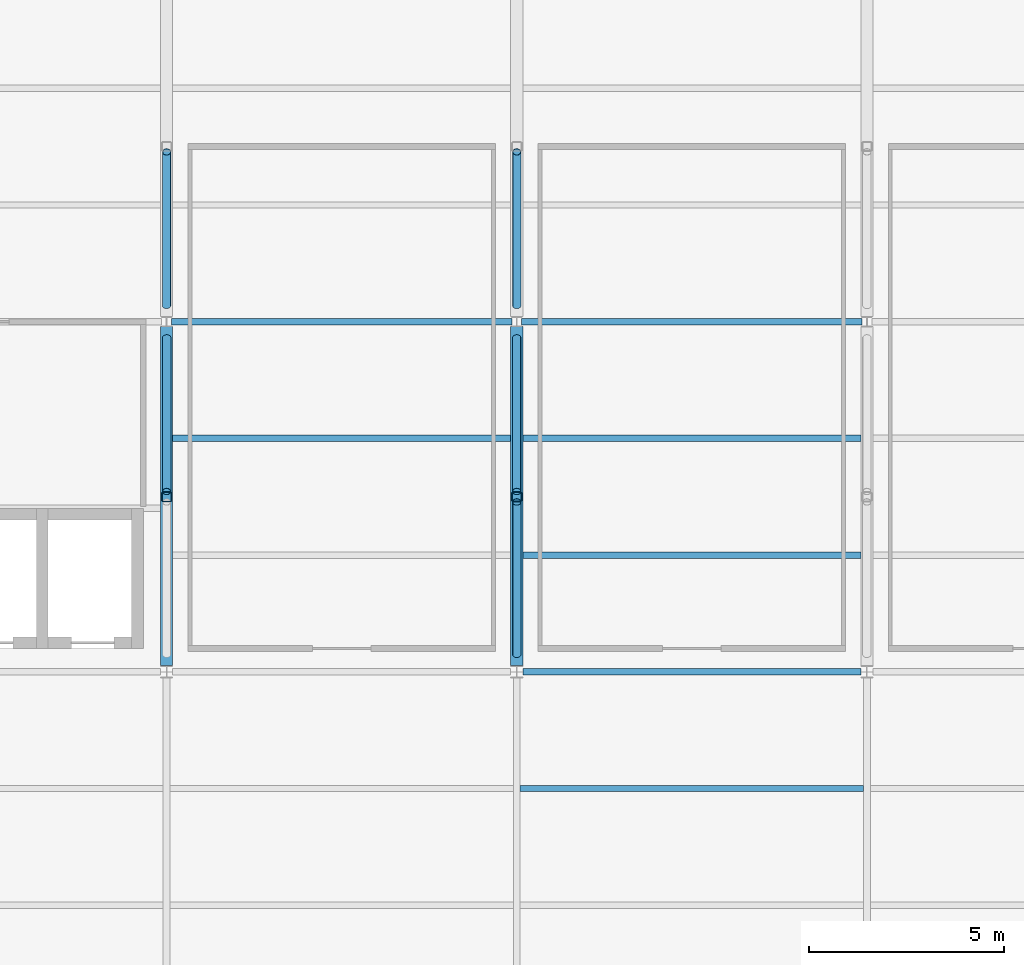
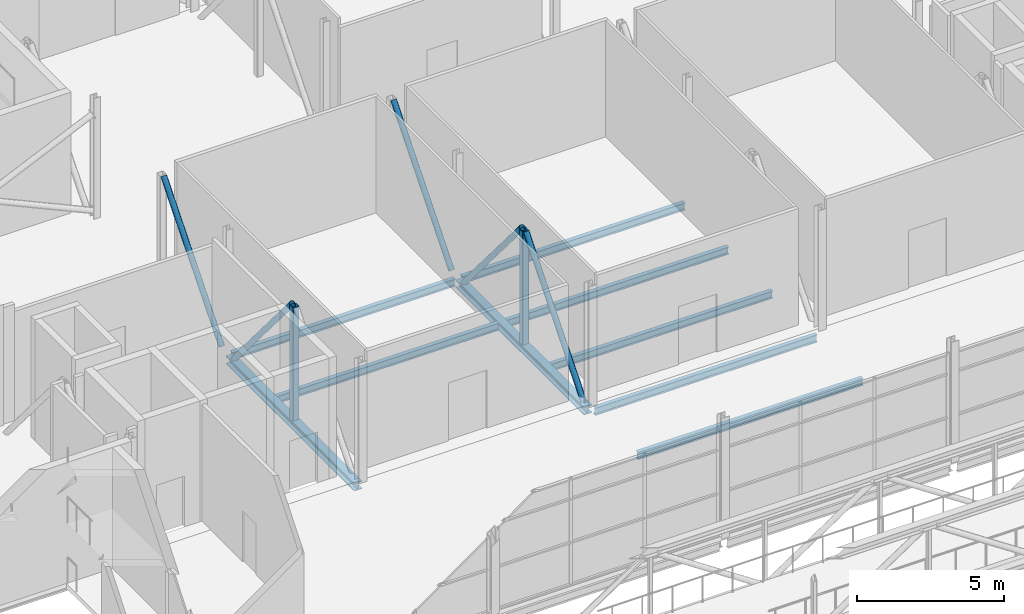
# One storey, part 56 of 94: 9 beams, 7 members.
"""IFC4 building model written with IfcOpenShell, lengths in metres."""

from ifc_helpers import new_model, si_unit, direction, frame, origin, origin_2d, place, context, subcontext, project, spatial, hollow_rectangle, hollow_circle, i_section, extrude, material, material_profile, profile_set, type_object, element, save


model = new_model("IFC4")

# Units and contexts
model_context = context("Model", 3, precision=1e-05, world=origin(), true_north=direction((0.0, 1.0)))
body_context = subcontext(model_context, "Body", "Model", "MODEL_VIEW")
ifc_project = project(units=[si_unit("LENGTHUNIT", "METRE"), si_unit("AREAUNIT", "SQUARE_METRE"), si_unit("VOLUMEUNIT", "CUBIC_METRE"), si_unit("PLANEANGLEUNIT", "RADIAN"), si_unit("MASSUNIT", "GRAM", prefix="KILO")], contexts=[model_context])

# Site, building, storey
site_placement = place(None, origin())
site = spatial("IfcSite", under=ifc_project, at=site_placement, CompositionType="ELEMENT")
building_placement = place(site_placement, origin())
building = spatial("IfcBuilding", under=site, at=building_placement, Name="Shorebreak Coast Museum", CompositionType="ELEMENT")
storey_placement = place(building_placement, frame((0.0, 0.0, 31.0)))
storey = spatial("IfcBuildingStorey", under=building, at=storey_placement, Name="L05", CompositionType="ELEMENT", Elevation=31.0)

# Beams
ifc_material_1 = material(Name="Steel Grade 300", Category="steel")
ifc_material_profile_1 = material_profile(ifc_material_1, i_section(OverallWidth=0.166015625, OverallDepth=0.30712890625, WebThickness=0.006591796875, FlangeThickness=0.01171875, FilletRadius=0.011474609375, at=origin_2d()), Name="310UB46.2")
ifc_profile_set_1 = profile_set([ifc_material_profile_1], Name="Steel Grade 300")
beam_type_1 = type_object("IfcBeamType", Name="Floor girder east-west 310UB46.2", PredefinedType="BEAM", material=ifc_profile_set_1)
beam_1_placement = place(storey_placement, frame((81.155517578125, 90.0, -0.32861328125), z_axis=(1.0, 0.0, 0.0), x_axis=(0.0, 1.0, 0.0)))
element("IfcBeam", 1, at=beam_1_placement, inside=storey, type_object=beam_type_1, Name="Floor girder east-west L05 10L", PredefinedType="BEAM", context=body_context, shape_type="SweptSolid", body=[
    extrude(i_section(OverallWidth=0.166015625, OverallDepth=0.30712890625, WebThickness=0.006591796875, FlangeThickness=0.01171875, FilletRadius=0.011474609375, at=origin_2d()), origin(), (0.0, 0.0, 1.0), 8.68896484375),
])
for number, where, z_axis, x_axis, name in (
    (2, (72.1279296875, 99.0, -0.32861328125), (1.0, 0.0, 0.0), (0.0, 1.0, 0.0), "Floor girder east-west L05 9M"),
    (3, (81.1279296875, 99.0, -0.32861328125), (1.0, 0.0, 0.0), (0.0, 1.0, 0.0), "Floor girder east-west L05 10M"),
):
    element("IfcBeam", number, at=place(storey_placement, frame(where, z_axis=z_axis, x_axis=x_axis)), inside=storey, type_object=beam_type_1, Name=name, PredefinedType="BEAM", context=body_context, shape_type="SweptSolid", body=[
        extrude(i_section(OverallWidth=0.166015625, OverallDepth=0.30712890625, WebThickness=0.006591796875, FlangeThickness=0.01171875, FilletRadius=0.011474609375, at=origin_2d()), origin(), (0.0, 0.0, 1.0), 8.744140625),
    ])
ifc_material_2 = material(Name="Steel Grade 300", Category="steel")
ifc_material_profile_2 = material_profile(ifc_material_2, i_section(OverallWidth=0.1650390625, OverallDepth=0.303955078125, WebThickness=0.006103515625, FlangeThickness=0.01025390625, FilletRadius=0.011474609375, at=origin_2d()), Name="310UB40.4")
ifc_profile_set_2 = profile_set([ifc_material_profile_2], Name="Steel Grade 300")
beam_type_2 = type_object("IfcBeamType", Name="Floor joist 310UB40.4", PredefinedType="JOIST", material=ifc_profile_set_2)
beam_2_placement = place(storey_placement, frame((81.089111328125, 87.0, -0.326904296875), z_axis=(1.0, 0.0, 0.0), x_axis=(0.0, 1.0, 0.0)))
element("IfcBeam", 4, at=beam_2_placement, inside=storey, type_object=beam_type_2, Name="Floor joist L05 bay 10K at 6000 mm", PredefinedType="JOIST", context=body_context, shape_type="SweptSolid", body=[
    extrude(i_section(OverallWidth=0.1650390625, OverallDepth=0.303955078125, WebThickness=0.006103515625, FlangeThickness=0.01025390625, FilletRadius=0.011474609375, at=origin_2d()), origin(), (0.0, 0.0, 1.0), 8.82177734375),
])
for number, where, z_axis, x_axis, name in (
    (5, (72.155517578125, 96.0, -0.326904296875), (1.0, 0.0, 0.0), (0.0, 1.0, 0.0), "Floor joist L05 bay 9L at 6000 mm"),
    (6, (81.155517578125, 93.0, -0.326904296875), (1.0, 0.0, 0.0), (0.0, 1.0, 0.0), "Floor joist L05 bay 10L at 3000 mm"),
    (7, (81.155517578125, 96.0, -0.326904296875), (1.0, 0.0, 0.0), (0.0, 1.0, 0.0), "Floor joist L05 bay 10L at 6000 mm"),
):
    element("IfcBeam", number, at=place(storey_placement, frame(where, z_axis=z_axis, x_axis=x_axis)), inside=storey, type_object=beam_type_2, Name=name, PredefinedType="JOIST", context=body_context, shape_type="SweptSolid", body=[
        extrude(i_section(OverallWidth=0.1650390625, OverallDepth=0.303955078125, WebThickness=0.006103515625, FlangeThickness=0.01025390625, FilletRadius=0.011474609375, at=origin_2d()), origin(), (0.0, 0.0, 1.0), 8.68896484375),
    ])
ifc_material_3 = material(Name="Steel Grade 300", Category="steel")
ifc_material_profile_3 = material_profile(ifc_material_3, i_section(OverallWidth=0.31103515625, OverallDepth=0.3271484375, WebThickness=0.015625, FlangeThickness=0.02490234375, FilletRadius=0.0166015625, at=origin_2d()), Name="310UC158")
ifc_profile_set_3 = profile_set([ifc_material_profile_3], Name="Steel Grade 300")
beam_type_3 = type_object("IfcBeamType", Name="Transfer truss chord 310UC158", PredefinedType="BEAM", material=ifc_profile_set_3)
for number, where, z_axis, x_axis, name in (
    (8, (72.0, 90.16357421875, -0.338623046875), (0.0, 1.0, 0.0), (-1.0, 0.0, 0.0), "Transfer truss TR3 chord C01"),
    (9, (81.0, 90.16357421875, -0.338623046875), (0.0, 1.0, 0.0), (-1.0, 0.0, 0.0), "Transfer truss TR4 chord C01"),
):
    element("IfcBeam", number, at=place(storey_placement, frame(where, z_axis=z_axis, x_axis=x_axis)), inside=storey, type_object=beam_type_3, Name=name, PredefinedType="BEAM", context=body_context, shape_type="SweptSolid", body=[
        extrude(i_section(OverallWidth=0.31103515625, OverallDepth=0.3271484375, WebThickness=0.015625, FlangeThickness=0.02490234375, FilletRadius=0.0166015625, at=origin_2d()), origin(), (0.0, 0.0, 1.0), 8.70654296875),
    ])

# Members
ifc_material_4 = material(Name="Steel Grade C350L0", Category="steel")
ifc_material_profile_4 = material_profile(ifc_material_4, hollow_circle(Radius=0.109619140625, WallThickness=0.00830078125, at=origin_2d()), Name="219.1x8.2 CHS")
ifc_profile_set_4 = profile_set([ifc_material_profile_4], Name="Steel Grade C350L0")
member_type_1 = type_object("IfcMemberType", Name="Transfer truss diagonal 219.1x8.2 CHS", PredefinedType="BRACE", material=ifc_profile_set_4)
for number, where, z_axis, x_axis, name in (
    (10, (72.0, 98.58203125, -0.175048828125), (0.0, -0.644727508452, 0.764412480174), (1.0, 0.0, 0.0), "Transfer truss TR3 diagonal D02"),
    (11, (72.0, 99.41796875, -0.175048828125), (0.0, 0.644727508452, 0.764412480174), (-1.0, 0.0, 0.0), "Transfer truss TR3 diagonal D03"),
):
    element("IfcMember", number, at=place(storey_placement, frame(where, z_axis=z_axis, x_axis=x_axis)), inside=storey, type_object=member_type_1, Name=name, PredefinedType="BRACE", context=body_context, shape_type="SweptSolid", body=[
        extrude(hollow_circle(Radius=0.109619140625, WallThickness=0.00830078125, at=origin_2d()), origin(), (0.0, 0.0, 1.0), 6.12158203125),
    ])
member_placement = place(storey_placement, frame((81.0, 90.450439453125, -0.175048828125), z_axis=(0.0, 0.641729837353, 0.76693077644), x_axis=(-1.0, 0.0, 0.0)))
element("IfcMember", 12, at=member_placement, inside=storey, type_object=member_type_1, Name="Transfer truss TR4 diagonal D01", PredefinedType="BRACE", context=body_context, shape_type="SweptSolid", body=[
    extrude(hollow_circle(Radius=0.109619140625, WallThickness=0.00830078125, at=origin_2d()), origin(), (0.0, 0.0, 1.0), 6.1015625),
])
for number, where, z_axis, x_axis, name in (
    (13, (81.0, 98.58203125, -0.175048828125), (0.0, -0.644727508452, 0.764412480174), (1.0, 0.0, 0.0), "Transfer truss TR4 diagonal D02"),
    (14, (81.0, 99.41796875, -0.175048828125), (0.0, 0.644727508452, 0.764412480174), (-1.0, 0.0, 0.0), "Transfer truss TR4 diagonal D03"),
):
    element("IfcMember", number, at=place(storey_placement, frame(where, z_axis=z_axis, x_axis=x_axis)), inside=storey, type_object=member_type_1, Name=name, PredefinedType="BRACE", context=body_context, shape_type="SweptSolid", body=[
        extrude(hollow_circle(Radius=0.109619140625, WallThickness=0.00830078125, at=origin_2d()), origin(), (0.0, 0.0, 1.0), 6.12158203125),
    ])
ifc_material_5 = material(Name="Steel Grade C450L0", Category="steel")
ifc_material_profile_5 = material_profile(ifc_material_5, hollow_rectangle(XDim=0.25, YDim=0.25, WallThickness=0.012451171875, InnerFilletRadius=0.018798828125, OuterFilletRadius=0.03125, at=origin_2d()), Name="250x250x12.5 SHS")
ifc_profile_set_5 = profile_set([ifc_material_profile_5], Name="Steel Grade C450L0")
member_type_2 = type_object("IfcMemberType", Name="Transfer truss strut 250x250x12.5 SHS", PredefinedType="STRUT", material=ifc_profile_set_5)
for number, where, z_axis, x_axis, name in (
    (15, (72.0, 94.5, -0.175048828125), (0.0, 0.0, 1.0), (1.0, 0.0, 0.0), "Transfer truss TR3 strut V01"),
    (16, (81.0, 94.5, -0.175048828125), (0.0, 0.0, 1.0), (1.0, 0.0, 0.0), "Transfer truss TR4 strut V01"),
):
    element("IfcMember", number, at=place(storey_placement, frame(where, z_axis=z_axis, x_axis=x_axis)), inside=storey, type_object=member_type_2, Name=name, PredefinedType="STRUT", context=body_context, shape_type="SweptSolid", body=[
        extrude(hollow_rectangle(XDim=0.25, YDim=0.25, WallThickness=0.012451171875, InnerFilletRadius=0.018798828125, OuterFilletRadius=0.03125, at=origin_2d()), origin(), (0.0, 0.0, 1.0), 4.679443359375),
    ])

save(model, "model.ifc")
